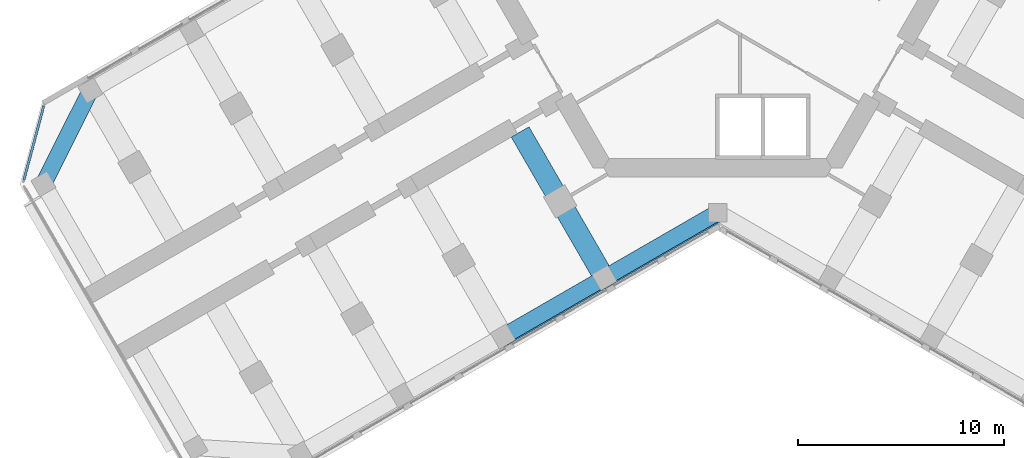
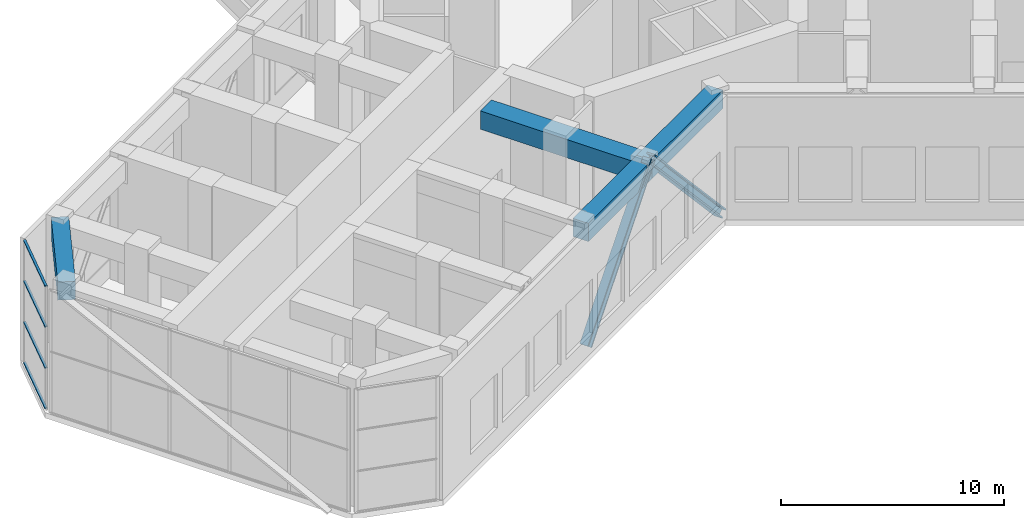
# One storey, part 3 of 15: 6 members, 4 beams, 1 element without a shape of its own.
"""IFC4 building model written with IfcOpenShell, lengths in metres."""

from ifc_helpers import new_model, si_unit, direction, frame, origin, origin_2d, place, context, subcontext, project, spatial, rectangle, i_section, extrude, material, material_profile, profile_set, type_object, element, aggregate, save


model = new_model("IFC4")

# Units and contexts
model_context = context("Model", 3, precision=1e-05, world=origin(), true_north=direction((0.0, 1.0)))
body_context = subcontext(model_context, "Body", "Model", "MODEL_VIEW")
ifc_project = project(units=[si_unit("LENGTHUNIT", "METRE"), si_unit("AREAUNIT", "SQUARE_METRE"), si_unit("VOLUMEUNIT", "CUBIC_METRE"), si_unit("PLANEANGLEUNIT", "RADIAN"), si_unit("MASSUNIT", "GRAM", prefix="KILO")], contexts=[model_context])

# Site, building, storey
site_placement = place(None, origin())
site = spatial("IfcSite", under=ifc_project, at=site_placement, CompositionType="ELEMENT")
building_placement = place(site_placement, origin())
building = spatial("IfcBuilding", under=site, at=building_placement, Name="Kosmar Iwan School Tower", CompositionType="ELEMENT")
storey_placement = place(building_placement, frame((0.0, 0.0, 186.800048828125)))
storey = spatial("IfcBuildingStorey", under=building, at=storey_placement, Name="L47", CompositionType="ELEMENT", Elevation=186.800048828125)

# Members
ifc_material_1 = material(Name="Steel S355", Category="steel")
ifc_material_profile_1 = material_profile(ifc_material_1, i_section(OverallWidth=0.424072265625, OverallDepth=0.47412109375, WebThickness=0.047607421875, FlangeThickness=0.0771484375, FilletRadius=0.014892578125, at=origin_2d()), Name="HD 400x634")
ifc_profile_set_1 = profile_set([ifc_material_profile_1], Name="Steel S355")
member_type_1 = type_object("IfcMemberType", Name="Belt truss diagonal HD 400x634", PredefinedType="BRACE", material=ifc_profile_set_1)
member_1_placement = place(storey_placement, frame((0.12890625, -12.00146484375, 0.0), z_axis=(-0.590541526201, -0.340940633834, 0.731450743409), x_axis=(0.49999045822, -0.866030912664, 0.0)))
element("IfcMember", 1, at=member_1_placement, inside=storey, type_object=member_type_1, Name="Belt truss diagonal BL1", PredefinedType="BRACE", context=body_context, shape_type="SweptSolid", body=[
    extrude(i_section(OverallWidth=0.424072265625, OverallDepth=0.47412109375, WebThickness=0.047607421875, FlangeThickness=0.0771484375, FilletRadius=0.014892578125, at=origin_2d()), origin(), (0.0, 0.0, 1.0), 9.328369140625),
])
member_2_placement = place(storey_placement, frame((-5.3798828125, -15.181884765625, 6.8232421875), z_axis=(-0.555211280294, -0.320566619821, -0.767448680037), x_axis=(0.50001782563, -0.866015111908, 0.0)))
element("IfcMember", 2, at=member_2_placement, inside=storey, type_object=member_type_1, Name="Belt truss diagonal BL2", PredefinedType="BRACE", context=body_context, shape_type="SweptSolid", body=[
    extrude(i_section(OverallWidth=0.424072265625, OverallDepth=0.47412109375, WebThickness=0.047607421875, FlangeThickness=0.0771484375, FilletRadius=0.014892578125, at=origin_2d()), origin(), (0.0, 0.0, 1.0), 8.890869140625),
])

# Beams
ifc_material_2 = material(Name="Concrete C50/60", Category="concrete")
ifc_material_profile_2 = material_profile(ifc_material_2, rectangle(XDim=0.800048828125, YDim=1.0, at=origin_2d()), Name="RC 800x1000 + HD 400x634")
ifc_profile_set_2 = profile_set([ifc_material_profile_2], Name="Concrete C50/60")
beam_type_1 = type_object("IfcBeamType", Name="Composite edge beam 800x1000 HD 400x634", PredefinedType="BEAM", material=ifc_profile_set_2)
beam_1_placement = place(storey_placement, frame((0.0, -11.77783203125, 6.25), z_axis=(-0.866014293216, -0.500019243575, 0.0), x_axis=(0.500019243575, -0.866014293216, 0.0)))
element("IfcBeam", 3, at=beam_1_placement, inside=storey, type_object=beam_type_1, Name="Edge beam BL1", PredefinedType="BEAM", context=body_context, shape_type="SweptSolid", body=[
    extrude(rectangle(XDim=0.800048828125, YDim=1.0, at=origin_2d()), origin(), (0.0, 0.0, 1.0), 6.361083984375),
])
beam_2_placement = place(storey_placement, frame((-5.5087890625, -14.95849609375, 6.25), z_axis=(-0.866033658841, -0.49998570155, 0.0), x_axis=(0.49998570155, -0.866033658841, 0.0)))
element("IfcBeam", 4, at=beam_2_placement, inside=storey, type_object=beam_type_1, Name="Edge beam BL2", PredefinedType="BEAM", context=body_context, shape_type="SweptSolid", body=[
    extrude(rectangle(XDim=0.800048828125, YDim=1.0, at=origin_2d()), origin(), (0.0, 0.0, 1.0), 5.699951171875),
])
ifc_material_3 = material(Name="Concrete C50/60", Category="concrete")
ifc_material_profile_3 = material_profile(ifc_material_3, rectangle(XDim=1.0, YDim=1.0, at=origin_2d()), Name="RC 1000x1000 + HD 400x347")
ifc_profile_set_3 = profile_set([ifc_material_profile_3], Name="Concrete C50/60")
beam_type_2 = type_object("IfcBeamType", Name="Composite transverse beam 1000x1000 HD 400x347", PredefinedType="BEAM", material=ifc_profile_set_3)
beam_3_placement = place(storey_placement, frame((-5.5087890625, -14.95849609375, 6.25), z_axis=(-0.500000789788, 0.8660249478, 0.0), x_axis=(-0.8660249478, -0.500000789788, 0.0)))
element("IfcBeam", 5, at=beam_3_placement, inside=storey, type_object=beam_type_2, Name="Transverse beam BL1", PredefinedType="BEAM", context=body_context, shape_type="SweptSolid", body=[
    extrude(rectangle(XDim=1.0, YDim=1.0, at=origin_2d()), origin(), (0.0, 0.0, 1.0), 8.2001953125),
])
ifc_material_4 = material(Name="Concrete C50/60", Category="concrete")
ifc_material_profile_4 = material_profile(ifc_material_4, rectangle(XDim=0.800048828125, YDim=1.0, at=origin_2d()), Name="RC 800x1000")
ifc_profile_set_4 = profile_set([ifc_material_profile_4], Name="Concrete C50/60")
beam_type_3 = type_object("IfcBeamType", Name="RC tip beam 800x1000", PredefinedType="BEAM", material=ifc_profile_set_4)
beam_4_placement = place(storey_placement, frame((-30.517822265625, -5.841552734375, 6.25), z_axis=(-0.44809604203, -0.893985423325, 0.0), x_axis=(0.893985423325, -0.44809604203, 0.0)))
element("IfcBeam", 6, at=beam_4_placement, inside=storey, type_object=beam_type_3, Name="Tip beam BR", PredefinedType="BEAM", context=body_context, shape_type="SweptSolid", body=[
    extrude(rectangle(XDim=0.800048828125, YDim=1.0, at=origin_2d()), origin(), (0.0, 0.0, 1.0), 5.08935546875),
])

# Curtain wall, members
ifc_material_5 = material(Name="Dark glass in black aluminium frame", Category="aluminium")
curtain_wall_type = type_object("IfcCurtainWallType", Name="Chamfer curtain wall dark glass", PredefinedType="USERDEFINED", material=ifc_material_5)
curtain_wall_placement = place(storey_placement, origin())
curtain_wall = element("IfcCurtainWall", 7, at=curtain_wall_placement, inside=storey, type_object=curtain_wall_type, Name="Curtain wall L47-F12", ObjectType="FACETED CURTAIN WALL", PredefinedType="USERDEFINED")
ifc_material_6 = material(Name="Black anodised aluminium", Category="aluminium")
ifc_material_profile_5 = material_profile(ifc_material_6, rectangle(XDim=0.1201171875, YDim=0.06005859375, at=origin_2d()), Name="TRANSOM 60x120")
ifc_profile_set_5 = profile_set([ifc_material_profile_5], Name="Black anodised aluminium")
member_type_2 = type_object("IfcMemberType", Name="Transom 60x120", PredefinedType="USERDEFINED", material=ifc_profile_set_5)
member_3_placement = place(storey_placement, frame((-32.788330078125, -6.602294921875, 0.030029296875), z_axis=(-0.258843273983, -0.965919333854, 0.0), x_axis=(0.965919333854, -0.258843273983, 0.0)))
member_3 = element("IfcMember", 8, at=member_3_placement, type_object=member_type_2, Name="CW2 transom 1.1", ObjectType="TRANSOM", PredefinedType="USERDEFINED", context=body_context, shape_type="SweptSolid", body=[
    extrude(rectangle(XDim=0.1201171875, YDim=0.06005859375, at=origin_2d()), origin(), (0.0, 0.0, 1.0), 3.718994140625),
])
member_4_placement = place(storey_placement, frame((-32.788330078125, -6.602294921875, 2.25), z_axis=(-0.258843273983, -0.965919333854, 0.0), x_axis=(0.965919333854, -0.258843273983, 0.0)))
member_4 = element("IfcMember", 9, at=member_4_placement, type_object=member_type_2, Name="CW2 transom 1.2", ObjectType="TRANSOM", PredefinedType="USERDEFINED", context=body_context, shape_type="SweptSolid", body=[
    extrude(rectangle(XDim=0.1201171875, YDim=0.06005859375, at=origin_2d()), origin(), (0.0, 0.0, 1.0), 3.718994140625),
])
member_5_placement = place(storey_placement, frame((-32.788330078125, -6.602294921875, 4.5), z_axis=(-0.258843273983, -0.965919333854, 0.0), x_axis=(0.965919333854, -0.258843273983, 0.0)))
member_5 = element("IfcMember", 10, at=member_5_placement, type_object=member_type_2, Name="CW2 transom 1.3", ObjectType="TRANSOM", PredefinedType="USERDEFINED", context=body_context, shape_type="SweptSolid", body=[
    extrude(rectangle(XDim=0.1201171875, YDim=0.06005859375, at=origin_2d()), origin(), (0.0, 0.0, 1.0), 3.718994140625),
])
member_6_placement = place(storey_placement, frame((-32.788330078125, -6.602294921875, 6.719970703125), z_axis=(-0.258843273983, -0.965919333854, 0.0), x_axis=(0.965919333854, -0.258843273983, 0.0)))
member_6 = element("IfcMember", 11, at=member_6_placement, type_object=member_type_2, Name="CW2 transom 1.4", ObjectType="TRANSOM", PredefinedType="USERDEFINED", context=body_context, shape_type="SweptSolid", body=[
    extrude(rectangle(XDim=0.1201171875, YDim=0.06005859375, at=origin_2d()), origin(), (0.0, 0.0, 1.0), 3.718994140625),
])
aggregate(curtain_wall, [member_3, member_4, member_5, member_6])

save(model, "model.ifc")
